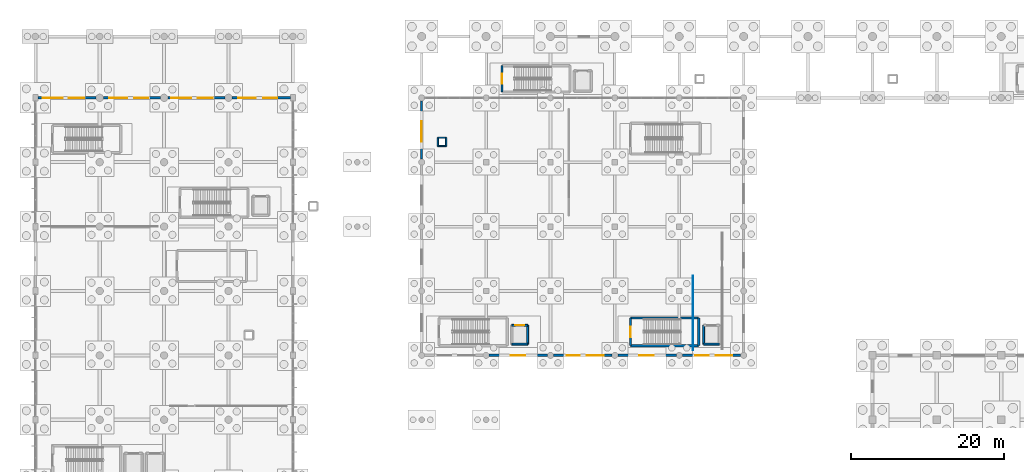
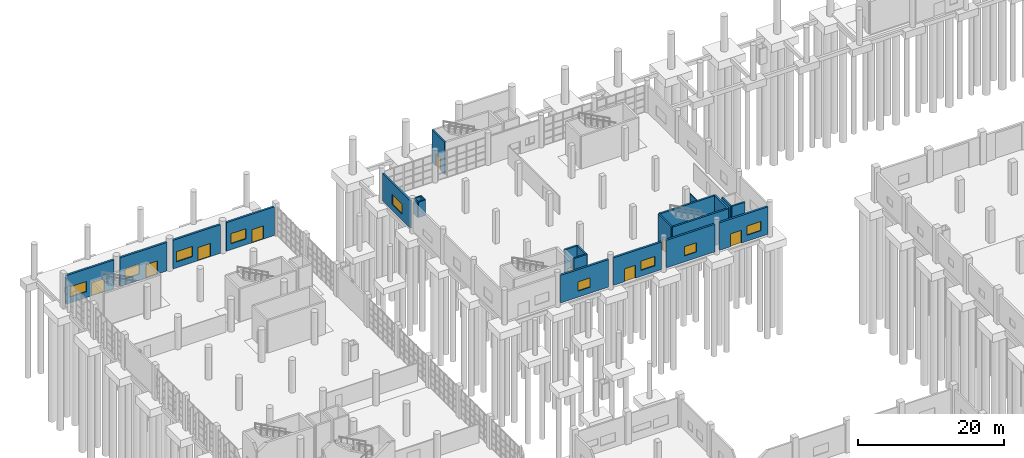
# One storey, part 56 of 83: 24 walls, 9 doors, 9 windows, 18 openings.
"""IFC4 building model written with IfcOpenShell, lengths in metres."""

from ifc_helpers import new_model, si_unit, direction, frame, frame_2d, origin, place, context, subcontext, project, spatial, rectangle, extrude, material, layer, layer_set, type_object, element, fill, save


model = new_model("IFC4")

# Units and contexts
model_context = context("Model", 3, precision=1e-05, world=origin(), true_north=direction((0.0, 1.0)))
body_context = subcontext(model_context, "Body", "Model", "MODEL_VIEW")
ifc_project = project(units=[si_unit("LENGTHUNIT", "METRE"), si_unit("AREAUNIT", "SQUARE_METRE"), si_unit("VOLUMEUNIT", "CUBIC_METRE"), si_unit("PLANEANGLEUNIT", "RADIAN"), si_unit("MASSUNIT", "GRAM", prefix="KILO"), si_unit("THERMODYNAMICTEMPERATUREUNIT", "KELVIN"), si_unit("POWERUNIT", "WATT")], contexts=[model_context])

# Site, building, storey
site_placement = place(None, origin())
site = spatial("IfcSite", under=ifc_project, at=site_placement, CompositionType="ELEMENT")
building_placement = place(site_placement, origin())
building = spatial("IfcBuilding", under=site, at=building_placement, Name="Mavoryth Pier Ferry Terminal", CompositionType="ELEMENT")
storey_placement = place(building_placement, origin())
storey = spatial("IfcBuildingStorey", under=building, at=storey_placement, Name="L00", CompositionType="ELEMENT", Elevation=0.0)

# Walls
ifc_material_1 = material(Name="Concrete C35/45", Category="concrete")
ifc_layer_1 = layer(ifc_material_1, 0.260009765625, Name="Concrete C35/45", Category="concrete")
ifc_layer_set_1 = layer_set([ifc_layer_1], Name="Concrete C35/45 - CoreWall-LiftShaft-RC260")
wall_type_1 = type_object("IfcWallType", Name="CoreWall-LiftShaft-RC260", PredefinedType="SHEAR", material=ifc_layer_set_1)
wall_1_placement = place(storey_placement, frame((62.169921875, 73.8701171875, 0.0), z_axis=(0.0, 0.0, 1.0), x_axis=(1.0, 0.0, 0.0)))
element("IfcWall", 1, at=wall_1_placement, inside=storey, type_object=wall_type_1, Name="Interior Wall IW-L00-0069", PredefinedType="SHEAR", context=body_context, shape_type="SweptSolid", body=[
    extrude(rectangle(XDim=2.06005859375, YDim=0.260009765625, at=frame_2d((1.030029296875, 0.0))), origin(), (0.0, 0.0, 1.0), 5.43994140625),
])
wall_2_placement = place(storey_placement, frame((64.22998046875, 73.8701171875, 0.0), z_axis=(0.0, 0.0, 1.0), x_axis=(0.0, 1.0, 0.0)))
element("IfcWall", 2, at=wall_2_placement, inside=storey, type_object=wall_type_1, Name="Interior Wall IW-L00-0070", PredefinedType="SHEAR", context=body_context, shape_type="SweptSolid", body=[
    extrude(rectangle(XDim=2.4599609375, YDim=0.260009765625, at=frame_2d((1.22998046875, 0.0))), origin(), (0.0, 0.0, 1.0), 5.43994140625),
])

# Wall, opening, door
wall_3_placement = place(storey_placement, frame((62.169921875, 76.330078125, 0.0), z_axis=(0.0, 0.0, 1.0), x_axis=(1.0, 0.0, 0.0)))
wall_3 = element("IfcWall", 3, at=wall_3_placement, inside=storey, type_object=wall_type_1, Name="Interior Wall IW-L00-0072", PredefinedType="SHEAR", context=body_context, shape_type="SweptSolid", body=[
    extrude(rectangle(XDim=2.06005859375, YDim=0.260009765625, at=frame_2d((1.030029296875, 0.0))), origin(), (0.0, 0.0, 1.0), 5.43994140625),
])
opening_1_placement = place(wall_3_placement, frame((0.4599609375, 0.0, 0.0)))
opening_1 = element("IfcOpeningElement", 4, at=opening_1_placement, cuts=wall_3, Name="Opening LD02", PredefinedType="OPENING", context=body_context, shape_type="SweptSolid", body=[
    extrude(rectangle(XDim=1.139892578125, YDim=2.139892578125, at=frame_2d((0.56982421875, 1.06982421875))), frame((0.0, 0.139892578125, 0.0), z_axis=(0.0, -1.0, 0.0), x_axis=(1.0, 0.0, 0.0)), (0.0, 0.0, 1.0), 0.280029296875),
])
ifc_material_2 = material(Name="Brushed Stainless Steel Lift Landing Door", Category="steel")
door_type_1 = type_object("IfcDoorType", Name="Door-LiftLanding-1140x2140", OperationType="NOTDEFINED", PredefinedType="DOOR", material=ifc_material_2)
door_1_placement = place(opening_1_placement, origin())
door_1 = element("IfcDoor", 5, at=door_1_placement, inside=storey, type_object=door_type_1, Name="Lift LF04 Landing Door L00", OperationType="DOUBLE_DOOR_SLIDING", OverallHeight=2.139892578125, OverallWidth=1.139892578125, PredefinedType="DOOR", context=body_context, shape_type="SweptSolid", body=[
    extrude(rectangle(XDim=1.139892578125, YDim=2.139892578125, at=frame_2d((0.56982421875, 1.06982421875))), frame((0.0, 0.02490234375, 0.0), z_axis=(0.0, -1.0, 0.0), x_axis=(1.0, 0.0, 0.0)), (0.0, 0.0, 1.0), 0.050048828125),
])
fill(opening_1, door_1)

# Walls
wall_4_placement = place(storey_placement, frame((87.169921875, 73.8701171875, 0.0), z_axis=(0.0, 0.0, 1.0), x_axis=(1.0, 0.0, 0.0)))
element("IfcWall", 6, at=wall_4_placement, inside=storey, type_object=wall_type_1, Name="Interior Wall IW-L00-0089", PredefinedType="SHEAR", context=body_context, shape_type="SweptSolid", body=[
    extrude(rectangle(XDim=2.06005859375, YDim=0.260009765625, at=frame_2d((1.030029296875, 0.0))), origin(), (0.0, 0.0, 1.0), 5.43994140625),
])
wall_5_placement = place(storey_placement, frame((87.169921875, 76.330078125, 0.0), z_axis=(0.0, 0.0, 1.0), x_axis=(0.0, -1.0, 0.0)))
element("IfcWall", 7, at=wall_5_placement, inside=storey, type_object=wall_type_1, Name="Interior Wall IW-L00-0091", PredefinedType="SHEAR", context=body_context, shape_type="SweptSolid", body=[
    extrude(rectangle(XDim=2.4599609375, YDim=0.260009765625, at=frame_2d((1.22998046875, 0.0))), origin(), (0.0, 0.0, 1.0), 5.43994140625),
])
ifc_material_3 = material(Name="Concrete C40/50", Category="concrete")
ifc_layer_2 = layer(ifc_material_3, 0.280029296875, Name="Concrete C40/50", Category="concrete")
ifc_layer_set_2 = layer_set([ifc_layer_2], Name="Concrete C40/50 - CoreWall-Shear-RC280")
wall_type_2 = type_object("IfcWallType", Name="CoreWall-Shear-RC280", PredefinedType="SHEAR", material=ifc_layer_set_2)
for number, where, z_axis, x_axis, name in (
    (8, (77.659912109375, 73.659912109375, 0.0), (0.0, 0.0, 1.0), (1.0, 0.0, 0.0), "Interior Wall IW-L00-0077"),
    (9, (77.659912109375, 77.2900390625, 0.0), (0.0, 0.0, 1.0), (1.0, 0.0, 0.0), "Interior Wall IW-L00-0078"),
):
    element("IfcWall", number, at=place(storey_placement, frame(where, z_axis=z_axis, x_axis=x_axis)), inside=storey, type_object=wall_type_2, Name=name, PredefinedType="SHEAR", context=body_context, shape_type="SweptSolid", body=[
        extrude(rectangle(XDim=8.880126953125, YDim=0.280029296875, at=frame_2d((4.43994140625, 0.0))), origin(), (0.0, 0.0, 1.0), 5.43994140625),
    ])

# Wall, opening, door
wall_6_placement = place(storey_placement, frame((77.659912109375, 77.2900390625, 0.0), z_axis=(0.0, 0.0, 1.0), x_axis=(0.0, -1.0, 0.0)))
wall_6 = element("IfcWall", 10, at=wall_6_placement, inside=storey, type_object=wall_type_2, Name="Interior Wall IW-L00-0079", PredefinedType="SHEAR", context=body_context, shape_type="SweptSolid", body=[
    extrude(rectangle(XDim=3.630126953125, YDim=0.280029296875, at=frame_2d((1.81494140625, 0.0))), origin(), (0.0, 0.0, 1.0), 5.43994140625),
])
opening_2_placement = place(wall_6_placement, frame((1.135009765625, 0.0, 0.0)))
opening_2 = element("IfcOpeningElement", 11, at=opening_2_placement, cuts=wall_6, Name="Opening ID02-020", PredefinedType="OPENING", context=body_context, shape_type="SweptSolid", body=[
    extrude(rectangle(XDim=1.360107421875, YDim=2.14990234375, at=frame_2d((0.68017578125, 1.074951171875))), frame((0.0, 0.14990234375, 0.0), z_axis=(0.0, -1.0, 0.0), x_axis=(1.0, 0.0, 0.0)), (0.0, 0.0, 1.0), 0.300048828125),
])
ifc_material_4 = material(Name="Painted Galvanised Steel Fire Door", Category="steel")
door_type_2 = type_object("IfcDoorType", Name="Door-StairFire-1360x2150", OperationType="NOTDEFINED", PredefinedType="DOOR", material=ifc_material_4)
door_2_placement = place(opening_2_placement, origin())
door_2 = element("IfcDoor", 12, at=door_2_placement, inside=storey, type_object=door_type_2, Name="Core C2B Stair Exit Door L00", OperationType="SINGLE_SWING_LEFT", OverallHeight=2.14990234375, OverallWidth=1.360107421875, PredefinedType="DOOR", context=body_context, shape_type="SweptSolid", body=[
    extrude(rectangle(XDim=1.360107421875, YDim=2.14990234375, at=frame_2d((0.68017578125, 1.074951171875))), frame((0.0, 0.02490234375, 0.0), z_axis=(0.0, -1.0, 0.0), x_axis=(1.0, 0.0, 0.0)), (0.0, 0.0, 1.0), 0.050048828125),
])
fill(opening_2, door_2)

# Wall
wall_7_placement = place(storey_placement, frame((86.5400390625, 73.659912109375, 0.0), z_axis=(0.0, 0.0, 1.0), x_axis=(0.0, 1.0, 0.0)))
element("IfcWall", 13, at=wall_7_placement, inside=storey, type_object=wall_type_2, Name="Interior Wall IW-L00-0080", PredefinedType="SHEAR", context=body_context, shape_type="SweptSolid", body=[
    extrude(rectangle(XDim=3.630126953125, YDim=0.280029296875, at=frame_2d((1.81494140625, 0.0))), origin(), (0.0, 0.0, 1.0), 5.43994140625),
])

# Wall, opening, door
wall_8_placement = place(storey_placement, frame((60.860107421875, 110.18994140625, 0.0), z_axis=(0.0, 0.0, 1.0), x_axis=(0.0, -1.0, 0.0)))
wall_8 = element("IfcWall", 14, at=wall_8_placement, inside=storey, type_object=wall_type_2, Name="Interior Wall IW-L00-0103", PredefinedType="SHEAR", context=body_context, shape_type="SweptSolid", body=[
    extrude(rectangle(XDim=3.429931640625, YDim=0.280029296875, at=frame_2d((1.71484375, 0.0))), origin(), (0.0, 0.0, 1.0), 5.43994140625),
])
opening_3_placement = place(wall_8_placement, frame((1.074951171875, 0.0, 0.0)))
opening_3 = element("IfcOpeningElement", 15, at=opening_3_placement, cuts=wall_8, Name="Opening ID03-026", PredefinedType="OPENING", context=body_context, shape_type="SweptSolid", body=[
    extrude(rectangle(XDim=1.280029296875, YDim=2.10009765625, at=frame_2d((0.64013671875, 1.050048828125))), frame((0.0, 0.14990234375, 0.0), z_axis=(0.0, -1.0, 0.0), x_axis=(1.0, 0.0, 0.0)), (0.0, 0.0, 1.0), 0.300048828125),
])
door_type_3 = type_object("IfcDoorType", Name="Door-StairFire-1280x2100", OperationType="NOTDEFINED", PredefinedType="DOOR", material=ifc_material_4)
door_3_placement = place(opening_3_placement, origin())
door_3 = element("IfcDoor", 16, at=door_3_placement, inside=storey, type_object=door_type_3, Name="Core C3A Stair Exit Door L00", OperationType="SINGLE_SWING_RIGHT", OverallHeight=2.10009765625, OverallWidth=1.280029296875, PredefinedType="DOOR", context=body_context, shape_type="SweptSolid", body=[
    extrude(rectangle(XDim=1.280029296875, YDim=2.10009765625, at=frame_2d((0.64013671875, 1.050048828125))), frame((0.0, 0.02490234375, 0.0), z_axis=(0.0, -1.0, 0.0), x_axis=(1.0, 0.0, 0.0)), (0.0, 0.0, 1.0), 0.050048828125),
])
fill(opening_3, door_3)

# Wall, opening, window
ifc_material_5 = material(Name="Insulated Pentelic Limestone-Faced Masonry", Category="masonry")
ifc_layer_3 = layer(ifc_material_5, 0.25, Name="Insulated Pentelic Limestone-Faced Masonry", Category="masonry")
ifc_layer_set_3 = layer_set([ifc_layer_3], Name="Insulated Pentelic Limestone-Faced Masonry - ExtWall-Facade-Masonry250")
wall_type_3 = type_object("IfcWallType", Name="ExtWall-Facade-Masonry250", PredefinedType="SOLIDWALL", material=ifc_layer_set_3)
wall_9_placement = place(storey_placement, frame((50.39990234375, 105.610107421875, 0.0), z_axis=(0.0, 0.0, 1.0), x_axis=(0.0, -1.0, 0.0)))
wall_9 = element("IfcWall", 17, at=wall_9_placement, inside=storey, type_object=wall_type_3, Name="Exterior Wall EW-L00-028", PredefinedType="SOLIDWALL", context=body_context, shape_type="SweptSolid", body=[
    extrude(rectangle(XDim=7.6201171875, YDim=0.25, at=frame_2d((3.81005859375, 0.0))), origin(), (0.0, 0.0, 1.0), 4.60498046875),
])
opening_4_placement = place(wall_9_placement, frame((2.64990234375, 0.0, 1.0)))
opening_4 = element("IfcOpeningElement", 18, at=opening_4_placement, cuts=wall_9, Name="Opening WN20", PredefinedType="OPENING", context=body_context, shape_type="SweptSolid", body=[
    extrude(rectangle(XDim=2.699951171875, YDim=1.64990234375, at=frame_2d((1.35009765625, 0.824951171875))), frame((0.0, 0.135009765625, 0.0), z_axis=(0.0, -1.0, 0.0), x_axis=(1.0, 0.0, 0.0)), (0.0, 0.0, 1.0), 0.27001953125),
])
ifc_material_6 = material(Name="Thermally Broken Aluminium and Low-E Double Glazing", Category="aluminium")
window_type_1 = type_object("IfcWindowType", Name="Win-Community-2700x1650", PartitioningType="TRIPLE_PANEL_VERTICAL", PredefinedType="WINDOW", material=ifc_material_6)
window_1_placement = place(opening_4_placement, origin())
window_1 = element("IfcWindow", 19, at=window_1_placement, inside=storey, type_object=window_type_1, Name="Exterior Window 18", OverallHeight=1.64990234375, OverallWidth=2.699951171875, PartitioningType="TRIPLE_PANEL_VERTICAL", PredefinedType="WINDOW", context=body_context, shape_type="SweptSolid", body=[
    extrude(rectangle(XDim=2.699951171875, YDim=1.64990234375, at=frame_2d((1.35009765625, 0.824951171875))), frame((0.0, 0.030029296875, 0.0), z_axis=(0.0, -1.0, 0.0), x_axis=(1.0, 0.0, 0.0)), (0.0, 0.0, 1.0), 0.06005859375),
])
fill(opening_4, window_1)

# Wall, openings, door, window
ifc_layer_4 = layer(ifc_material_1, 0.31005859375, Name="Concrete C35/45", Category="concrete")
ifc_layer_set_4 = layer_set([ifc_layer_4], Name="Concrete C35/45 - ExtWall-Insul-RC310")
wall_type_4 = type_object("IfcWallType", Name="ExtWall-Insul-RC310", PredefinedType="SOLIDWALL", material=ifc_layer_set_4)
wall_10_placement = place(storey_placement, frame((7.925048828125, 106.0, 0.0), z_axis=(0.0, 0.0, 1.0), x_axis=(-1.0, 0.0, 0.0)))
wall_10 = element("IfcWall", 20, at=wall_10_placement, inside=storey, type_object=wall_type_4, Name="Exterior Wall EW-L00-002", PredefinedType="SOLIDWALL", context=body_context, shape_type="SweptSolid", body=[
    extrude(rectangle(XDim=7.60009765625, YDim=0.31005859375, at=frame_2d((3.800048828125, 0.0))), origin(), (0.0, 0.0, 1.0), 4.794921875),
])
opening_5_placement = place(wall_10_placement, frame((1.56494140625, 0.0, 0.0)))
opening_5 = element("IfcOpeningElement", 21, at=opening_5_placement, cuts=wall_10, Name="Opening ED03-002", PredefinedType="OPENING", context=body_context, shape_type="SweptSolid", body=[
    extrude(rectangle(XDim=2.0, YDim=2.199951171875, at=frame_2d((1.0, 1.10009765625))), frame((0.0, 0.1650390625, 0.0), z_axis=(0.0, -1.0, 0.0), x_axis=(1.0, 0.0, 0.0)), (0.0, 0.0, 1.0), 0.330078125),
])
opening_6_placement = place(wall_10_placement, frame((4.364990234375, 0.0, 1.0)))
opening_6 = element("IfcOpeningElement", 22, at=opening_6_placement, cuts=wall_10, Name="Opening WN09", PredefinedType="OPENING", context=body_context, shape_type="SweptSolid", body=[
    extrude(rectangle(XDim=2.60009765625, YDim=1.699951171875, at=frame_2d((1.300048828125, 0.85009765625))), frame((0.0, 0.1650390625, 0.0), z_axis=(0.0, -1.0, 0.0), x_axis=(1.0, 0.0, 0.0)), (0.0, 0.0, 1.0), 0.330078125),
])
ifc_material_7 = material(Name="Thermally Broken Anodised Aluminium and Laminated Glass", Category="aluminium")
door_type_4 = type_object("IfcDoorType", Name="ExtDoor-ExitDouble-2000x2200", OperationType="NOTDEFINED", PredefinedType="DOOR", material=ifc_material_7)
door_4_placement = place(opening_5_placement, origin())
door_4 = element("IfcDoor", 23, at=door_4_placement, inside=storey, type_object=door_type_4, Name="Exterior Pedestrian Exit Door ED03-002", OperationType="DOUBLE_DOOR_SINGLE_SWING", OverallHeight=2.199951171875, OverallWidth=2.0, PredefinedType="DOOR", context=body_context, shape_type="SweptSolid", body=[
    extrude(rectangle(XDim=2.0, YDim=2.199951171875, at=frame_2d((1.0, 1.10009765625))), frame((0.0, 0.02490234375, 0.0), z_axis=(0.0, -1.0, 0.0), x_axis=(1.0, 0.0, 0.0)), (0.0, 0.0, 1.0), 0.050048828125),
])
fill(opening_5, door_4)
window_type_2 = type_object("IfcWindowType", Name="Win-Concourse-2600x1700", PartitioningType="TRIPLE_PANEL_VERTICAL", PredefinedType="WINDOW", material=ifc_material_6)
window_2_placement = place(opening_6_placement, origin())
window_2 = element("IfcWindow", 24, at=window_2_placement, inside=storey, type_object=window_type_2, Name="Exterior Window 1", OverallHeight=1.699951171875, OverallWidth=2.60009765625, PartitioningType="TRIPLE_PANEL_VERTICAL", PredefinedType="WINDOW", context=body_context, shape_type="SweptSolid", body=[
    extrude(rectangle(XDim=2.60009765625, YDim=1.699951171875, at=frame_2d((1.300048828125, 0.85009765625))), frame((0.0, 0.030029296875, 0.0), z_axis=(0.0, -1.0, 0.0), x_axis=(1.0, 0.0, 0.0)), (0.0, 0.0, 1.0), 0.06005859375),
])
fill(opening_6, window_2)

wall_11_placement = place(storey_placement, frame((16.324951171875, 106.0, 0.0), z_axis=(0.0, 0.0, 1.0), x_axis=(-1.0, 0.0, 0.0)))
wall_11 = element("IfcWall", 25, at=wall_11_placement, inside=storey, type_object=wall_type_4, Name="Exterior Wall EW-L00-004", PredefinedType="SOLIDWALL", context=body_context, shape_type="SweptSolid", body=[
    extrude(rectangle(XDim=7.449951171875, YDim=0.31005859375, at=frame_2d((3.72509765625, 0.0))), origin(), (0.0, 0.0, 1.0), 4.784912109375),
])
opening_7_placement = place(wall_11_placement, frame((1.56494140625, 0.0, 0.0)))
opening_7 = element("IfcOpeningElement", 26, at=opening_7_placement, cuts=wall_11, Name="Opening ED04-004", PredefinedType="OPENING", context=body_context, shape_type="SweptSolid", body=[
    extrude(rectangle(XDim=1.85009765625, YDim=2.199951171875, at=frame_2d((0.925048828125, 1.10009765625))), frame((0.0, 0.1650390625, 0.0), z_axis=(0.0, -1.0, 0.0), x_axis=(1.0, 0.0, 0.0)), (0.0, 0.0, 1.0), 0.330078125),
])
opening_8_placement = place(wall_11_placement, frame((4.364990234375, 0.0, 1.0)))
opening_8 = element("IfcOpeningElement", 27, at=opening_8_placement, cuts=wall_11, Name="Opening WN10", PredefinedType="OPENING", context=body_context, shape_type="SweptSolid", body=[
    extrude(rectangle(XDim=2.300048828125, YDim=1.699951171875, at=frame_2d((1.14990234375, 0.85009765625))), frame((0.0, 0.1650390625, 0.0), z_axis=(0.0, -1.0, 0.0), x_axis=(1.0, 0.0, 0.0)), (0.0, 0.0, 1.0), 0.330078125),
])
door_type_5 = type_object("IfcDoorType", Name="ExtDoor-ExitDouble-1850x2200", OperationType="NOTDEFINED", PredefinedType="DOOR", material=ifc_material_7)
door_5_placement = place(opening_7_placement, origin())
door_5 = element("IfcDoor", 28, at=door_5_placement, inside=storey, type_object=door_type_5, Name="Exterior Pedestrian Exit Door ED04-004", OperationType="DOUBLE_DOOR_SINGLE_SWING", OverallHeight=2.199951171875, OverallWidth=1.85009765625, PredefinedType="DOOR", context=body_context, shape_type="SweptSolid", body=[
    extrude(rectangle(XDim=1.85009765625, YDim=2.199951171875, at=frame_2d((0.925048828125, 1.10009765625))), frame((0.0, 0.02490234375, 0.0), z_axis=(0.0, -1.0, 0.0), x_axis=(1.0, 0.0, 0.0)), (0.0, 0.0, 1.0), 0.050048828125),
])
fill(opening_7, door_5)
window_type_3 = type_object("IfcWindowType", Name="Win-Concourse-2300x1700", PartitioningType="TRIPLE_PANEL_VERTICAL", PredefinedType="WINDOW", material=ifc_material_6)
window_3_placement = place(opening_8_placement, origin())
window_3 = element("IfcWindow", 29, at=window_3_placement, inside=storey, type_object=window_type_3, Name="Exterior Window 2", OverallHeight=1.699951171875, OverallWidth=2.300048828125, PartitioningType="TRIPLE_PANEL_VERTICAL", PredefinedType="WINDOW", context=body_context, shape_type="SweptSolid", body=[
    extrude(rectangle(XDim=2.300048828125, YDim=1.699951171875, at=frame_2d((1.14990234375, 0.85009765625))), frame((0.0, 0.030029296875, 0.0), z_axis=(0.0, -1.0, 0.0), x_axis=(1.0, 0.0, 0.0)), (0.0, 0.0, 1.0), 0.06005859375),
])
fill(opening_8, window_3)

wall_12_placement = place(storey_placement, frame((24.72509765625, 106.0, 0.0), z_axis=(0.0, 0.0, 1.0), x_axis=(-1.0, 0.0, 0.0)))
wall_12 = element("IfcWall", 30, at=wall_12_placement, inside=storey, type_object=wall_type_4, Name="Exterior Wall EW-L00-006", PredefinedType="SOLIDWALL", context=body_context, shape_type="SweptSolid", body=[
    extrude(rectangle(XDim=7.4501953125, YDim=0.31005859375, at=frame_2d((3.72509765625, 0.0))), origin(), (0.0, 0.0, 1.0), 4.784912109375),
])
opening_9_placement = place(wall_12_placement, frame((1.56494140625, 0.0, 0.0)))
opening_9 = element("IfcOpeningElement", 31, at=opening_9_placement, cuts=wall_12, Name="Opening ED03-006", PredefinedType="OPENING", context=body_context, shape_type="SweptSolid", body=[
    extrude(rectangle(XDim=2.0, YDim=2.199951171875, at=frame_2d((1.0, 1.10009765625))), frame((0.0, 0.1650390625, 0.0), z_axis=(0.0, -1.0, 0.0), x_axis=(1.0, 0.0, 0.0)), (0.0, 0.0, 1.0), 0.330078125),
])
opening_10_placement = place(wall_12_placement, frame((4.364990234375, 0.0, 1.0)))
opening_10 = element("IfcOpeningElement", 32, at=opening_10_placement, cuts=wall_12, Name="Opening WN09", PredefinedType="OPENING", context=body_context, shape_type="SweptSolid", body=[
    extrude(rectangle(XDim=2.60009765625, YDim=1.699951171875, at=frame_2d((1.300048828125, 0.85009765625))), frame((0.0, 0.1650390625, 0.0), z_axis=(0.0, -1.0, 0.0), x_axis=(1.0, 0.0, 0.0)), (0.0, 0.0, 1.0), 0.330078125),
])
door_6_placement = place(opening_9_placement, origin())
door_6 = element("IfcDoor", 33, at=door_6_placement, inside=storey, type_object=door_type_4, Name="Exterior Pedestrian Exit Door ED03-006", OperationType="DOUBLE_DOOR_SINGLE_SWING", OverallHeight=2.199951171875, OverallWidth=2.0, PredefinedType="DOOR", context=body_context, shape_type="SweptSolid", body=[
    extrude(rectangle(XDim=2.0, YDim=2.199951171875, at=frame_2d((1.0, 1.10009765625))), frame((0.0, 0.02490234375, 0.0), z_axis=(0.0, -1.0, 0.0), x_axis=(1.0, 0.0, 0.0)), (0.0, 0.0, 1.0), 0.050048828125),
])
fill(opening_9, door_6)
window_4_placement = place(opening_10_placement, origin())
window_4 = element("IfcWindow", 34, at=window_4_placement, inside=storey, type_object=window_type_2, Name="Exterior Window 3", OverallHeight=1.699951171875, OverallWidth=2.60009765625, PartitioningType="TRIPLE_PANEL_VERTICAL", PredefinedType="WINDOW", context=body_context, shape_type="SweptSolid", body=[
    extrude(rectangle(XDim=2.60009765625, YDim=1.699951171875, at=frame_2d((1.300048828125, 0.85009765625))), frame((0.0, 0.030029296875, 0.0), z_axis=(0.0, -1.0, 0.0), x_axis=(1.0, 0.0, 0.0)), (0.0, 0.0, 1.0), 0.06005859375),
])
fill(opening_10, window_4)

wall_13_placement = place(storey_placement, frame((33.27490234375, 106.0, 0.0), z_axis=(0.0, 0.0, 1.0), x_axis=(-1.0, 0.0, 0.0)))
wall_13 = element("IfcWall", 35, at=wall_13_placement, inside=storey, type_object=wall_type_4, Name="Exterior Wall EW-L00-008", PredefinedType="SOLIDWALL", context=body_context, shape_type="SweptSolid", body=[
    extrude(rectangle(XDim=7.599853515625, YDim=0.31005859375, at=frame_2d((3.7998046875, 0.0))), origin(), (0.0, 0.0, 1.0), 4.784912109375),
])
opening_11_placement = place(wall_13_placement, frame((1.715087890625, 0.0, 0.0)))
opening_11 = element("IfcOpeningElement", 36, at=opening_11_placement, cuts=wall_13, Name="Opening ED04-008", PredefinedType="OPENING", context=body_context, shape_type="SweptSolid", body=[
    extrude(rectangle(XDim=1.85009765625, YDim=2.199951171875, at=frame_2d((0.925048828125, 1.10009765625))), frame((0.0, 0.1650390625, 0.0), z_axis=(0.0, -1.0, 0.0), x_axis=(1.0, 0.0, 0.0)), (0.0, 0.0, 1.0), 0.330078125),
])
opening_12_placement = place(wall_13_placement, frame((4.514892578125, 0.0, 1.0)))
opening_12 = element("IfcOpeningElement", 37, at=opening_12_placement, cuts=wall_13, Name="Opening WN10", PredefinedType="OPENING", context=body_context, shape_type="SweptSolid", body=[
    extrude(rectangle(XDim=2.300048828125, YDim=1.699951171875, at=frame_2d((1.14990234375, 0.85009765625))), frame((0.0, 0.1650390625, 0.0), z_axis=(0.0, -1.0, 0.0), x_axis=(1.0, 0.0, 0.0)), (0.0, 0.0, 1.0), 0.330078125),
])
door_7_placement = place(opening_11_placement, origin())
door_7 = element("IfcDoor", 38, at=door_7_placement, inside=storey, type_object=door_type_5, Name="Exterior Pedestrian Exit Door ED04-008", OperationType="DOUBLE_DOOR_SINGLE_SWING", OverallHeight=2.199951171875, OverallWidth=1.85009765625, PredefinedType="DOOR", context=body_context, shape_type="SweptSolid", body=[
    extrude(rectangle(XDim=1.85009765625, YDim=2.199951171875, at=frame_2d((0.925048828125, 1.10009765625))), frame((0.0, 0.02490234375, 0.0), z_axis=(0.0, -1.0, 0.0), x_axis=(1.0, 0.0, 0.0)), (0.0, 0.0, 1.0), 0.050048828125),
])
fill(opening_11, door_7)
window_5_placement = place(opening_12_placement, origin())
window_5 = element("IfcWindow", 39, at=window_5_placement, inside=storey, type_object=window_type_3, Name="Exterior Window 4", OverallHeight=1.699951171875, OverallWidth=2.300048828125, PartitioningType="TRIPLE_PANEL_VERTICAL", PredefinedType="WINDOW", context=body_context, shape_type="SweptSolid", body=[
    extrude(rectangle(XDim=2.300048828125, YDim=1.699951171875, at=frame_2d((1.14990234375, 0.85009765625))), frame((0.0, 0.030029296875, 0.0), z_axis=(0.0, -1.0, 0.0), x_axis=(1.0, 0.0, 0.0)), (0.0, 0.0, 1.0), 0.06005859375),
])
fill(opening_12, window_5)

# Wall, opening, window
wall_14_placement = place(storey_placement, frame((59.18994140625, 72.39990234375, 0.0), z_axis=(0.0, 0.0, 1.0), x_axis=(1.0, 0.0, 0.0)))
wall_14 = element("IfcWall", 40, at=wall_14_placement, inside=storey, type_object=wall_type_4, Name="Exterior Wall EW-L00-018", PredefinedType="SOLIDWALL", context=body_context, shape_type="SweptSolid", body=[
    extrude(rectangle(XDim=7.6201171875, YDim=0.31005859375, at=frame_2d((3.81005859375, 0.0))), origin(), (0.0, 0.0, 1.0), 4.60498046875),
])
opening_13_placement = place(wall_14_placement, frame((2.800048828125, 0.0, 1.0)))
opening_13 = element("IfcOpeningElement", 41, at=opening_13_placement, cuts=wall_14, Name="Opening WN12", PredefinedType="OPENING", context=body_context, shape_type="SweptSolid", body=[
    extrude(rectangle(XDim=1.89990234375, YDim=1.550048828125, at=frame_2d((0.949951171875, 0.77490234375))), frame((0.0, 0.1650390625, 0.0), z_axis=(0.0, -1.0, 0.0), x_axis=(1.0, 0.0, 0.0)), (0.0, 0.0, 1.0), 0.330078125),
])
window_type_4 = type_object("IfcWindowType", Name="Win-Arrivals-1900x1550", PartitioningType="DOUBLE_PANEL_VERTICAL", PredefinedType="WINDOW", material=ifc_material_6)
window_6_placement = place(opening_13_placement, origin())
window_6 = element("IfcWindow", 42, at=window_6_placement, inside=storey, type_object=window_type_4, Name="Exterior Window 8", OverallHeight=1.550048828125, OverallWidth=1.89990234375, PartitioningType="DOUBLE_PANEL_VERTICAL", PredefinedType="WINDOW", context=body_context, shape_type="SweptSolid", body=[
    extrude(rectangle(XDim=1.89990234375, YDim=1.550048828125, at=frame_2d((0.949951171875, 0.77490234375))), frame((0.0, 0.030029296875, 0.0), z_axis=(0.0, -1.0, 0.0), x_axis=(1.0, 0.0, 0.0)), (0.0, 0.0, 1.0), 0.06005859375),
])
fill(opening_13, window_6)

# Wall, openings, door, window
wall_15_placement = place(storey_placement, frame((67.590087890625, 72.39990234375, 0.0), z_axis=(0.0, 0.0, 1.0), x_axis=(1.0, 0.0, 0.0)))
wall_15 = element("IfcWall", 43, at=wall_15_placement, inside=storey, type_object=wall_type_4, Name="Exterior Wall EW-L00-019", PredefinedType="SOLIDWALL", context=body_context, shape_type="SweptSolid", body=[
    extrude(rectangle(XDim=7.619873046875, YDim=0.31005859375, at=frame_2d((3.81005859375, 0.0))), origin(), (0.0, 0.0, 1.0), 4.60498046875),
])
opening_14_placement = place(wall_15_placement, frame((1.699951171875, 0.0, 0.0)))
opening_14 = element("IfcOpeningElement", 44, at=opening_14_placement, cuts=wall_15, Name="Opening ED05-012", PredefinedType="OPENING", context=body_context, shape_type="SweptSolid", body=[
    extrude(rectangle(XDim=1.75, YDim=2.14990234375, at=frame_2d((0.875, 1.074951171875))), frame((0.0, 0.1650390625, 0.0), z_axis=(0.0, -1.0, 0.0), x_axis=(1.0, 0.0, 0.0)), (0.0, 0.0, 1.0), 0.330078125),
])
opening_15_placement = place(wall_15_placement, frame((4.35009765625, 0.0, 1.0)))
opening_15 = element("IfcOpeningElement", 45, at=opening_15_placement, cuts=wall_15, Name="Opening WN11", PredefinedType="OPENING", context=body_context, shape_type="SweptSolid", body=[
    extrude(rectangle(XDim=2.199951171875, YDim=1.550048828125, at=frame_2d((1.10009765625, 0.77490234375))), frame((0.0, 0.1650390625, 0.0), z_axis=(0.0, -1.0, 0.0), x_axis=(1.0, 0.0, 0.0)), (0.0, 0.0, 1.0), 0.330078125),
])
door_type_6 = type_object("IfcDoorType", Name="ExtDoor-ExitDouble-1750x2150", OperationType="NOTDEFINED", PredefinedType="DOOR", material=ifc_material_7)
door_8_placement = place(opening_14_placement, origin())
door_8 = element("IfcDoor", 46, at=door_8_placement, inside=storey, type_object=door_type_6, Name="Exterior Pedestrian Exit Door ED05-012", OperationType="DOUBLE_DOOR_SINGLE_SWING", OverallHeight=2.14990234375, OverallWidth=1.75, PredefinedType="DOOR", context=body_context, shape_type="SweptSolid", body=[
    extrude(rectangle(XDim=1.75, YDim=2.14990234375, at=frame_2d((0.875, 1.074951171875))), frame((0.0, 0.02490234375, 0.0), z_axis=(0.0, -1.0, 0.0), x_axis=(1.0, 0.0, 0.0)), (0.0, 0.0, 1.0), 0.050048828125),
])
fill(opening_14, door_8)
window_type_5 = type_object("IfcWindowType", Name="Win-Arrivals-2200x1550", PartitioningType="DOUBLE_PANEL_VERTICAL", PredefinedType="WINDOW", material=ifc_material_6)
window_7_placement = place(opening_15_placement, origin())
window_7 = element("IfcWindow", 47, at=window_7_placement, inside=storey, type_object=window_type_5, Name="Exterior Window 9", OverallHeight=1.550048828125, OverallWidth=2.199951171875, PartitioningType="DOUBLE_PANEL_VERTICAL", PredefinedType="WINDOW", context=body_context, shape_type="SweptSolid", body=[
    extrude(rectangle(XDim=2.199951171875, YDim=1.550048828125, at=frame_2d((1.10009765625, 0.77490234375))), frame((0.0, 0.030029296875, 0.0), z_axis=(0.0, -1.0, 0.0), x_axis=(1.0, 0.0, 0.0)), (0.0, 0.0, 1.0), 0.06005859375),
])
fill(opening_15, window_7)

# Wall, opening, window
wall_16_placement = place(storey_placement, frame((75.989990234375, 72.39990234375, 0.0), z_axis=(0.0, 0.0, 1.0), x_axis=(1.0, 0.0, 0.0)))
wall_16 = element("IfcWall", 48, at=wall_16_placement, inside=storey, type_object=wall_type_4, Name="Exterior Wall EW-L00-020", PredefinedType="SOLIDWALL", context=body_context, shape_type="SweptSolid", body=[
    extrude(rectangle(XDim=7.6201171875, YDim=0.31005859375, at=frame_2d((3.81005859375, 0.0))), origin(), (0.0, 0.0, 1.0), 4.60498046875),
])
opening_16_placement = place(wall_16_placement, frame((2.800048828125, 0.0, 1.0)))
opening_16 = element("IfcOpeningElement", 49, at=opening_16_placement, cuts=wall_16, Name="Opening WN12", PredefinedType="OPENING", context=body_context, shape_type="SweptSolid", body=[
    extrude(rectangle(XDim=1.89990234375, YDim=1.550048828125, at=frame_2d((0.949951171875, 0.77490234375))), frame((0.0, 0.1650390625, 0.0), z_axis=(0.0, -1.0, 0.0), x_axis=(1.0, 0.0, 0.0)), (0.0, 0.0, 1.0), 0.330078125),
])
window_8_placement = place(opening_16_placement, origin())
window_8 = element("IfcWindow", 50, at=window_8_placement, inside=storey, type_object=window_type_4, Name="Exterior Window 10", OverallHeight=1.550048828125, OverallWidth=1.89990234375, PartitioningType="DOUBLE_PANEL_VERTICAL", PredefinedType="WINDOW", context=body_context, shape_type="SweptSolid", body=[
    extrude(rectangle(XDim=1.89990234375, YDim=1.550048828125, at=frame_2d((0.949951171875, 0.77490234375))), frame((0.0, 0.030029296875, 0.0), z_axis=(0.0, -1.0, 0.0), x_axis=(1.0, 0.0, 0.0)), (0.0, 0.0, 1.0), 0.06005859375),
])
fill(opening_16, window_8)

# Wall, openings, door, window
wall_17_placement = place(storey_placement, frame((84.389892578125, 72.39990234375, 0.0), z_axis=(0.0, 0.0, 1.0), x_axis=(1.0, 0.0, 0.0)))
wall_17 = element("IfcWall", 51, at=wall_17_placement, inside=storey, type_object=wall_type_4, Name="Exterior Wall EW-L00-021", PredefinedType="SOLIDWALL", context=body_context, shape_type="SweptSolid", body=[
    extrude(rectangle(XDim=7.6201171875, YDim=0.31005859375, at=frame_2d((3.81005859375, 0.0))), origin(), (0.0, 0.0, 1.0), 4.60498046875),
])
opening_17_placement = place(wall_17_placement, frame((1.699951171875, 0.0, 0.0)))
opening_17 = element("IfcOpeningElement", 52, at=opening_17_placement, cuts=wall_17, Name="Opening ED05-013", PredefinedType="OPENING", context=body_context, shape_type="SweptSolid", body=[
    extrude(rectangle(XDim=1.75, YDim=2.14990234375, at=frame_2d((0.875, 1.074951171875))), frame((0.0, 0.1650390625, 0.0), z_axis=(0.0, -1.0, 0.0), x_axis=(1.0, 0.0, 0.0)), (0.0, 0.0, 1.0), 0.330078125),
])
opening_18_placement = place(wall_17_placement, frame((4.35009765625, 0.0, 1.0)))
opening_18 = element("IfcOpeningElement", 53, at=opening_18_placement, cuts=wall_17, Name="Opening WN11", PredefinedType="OPENING", context=body_context, shape_type="SweptSolid", body=[
    extrude(rectangle(XDim=2.199951171875, YDim=1.550048828125, at=frame_2d((1.10009765625, 0.77490234375))), frame((0.0, 0.1650390625, 0.0), z_axis=(0.0, -1.0, 0.0), x_axis=(1.0, 0.0, 0.0)), (0.0, 0.0, 1.0), 0.330078125),
])
door_9_placement = place(opening_17_placement, origin())
door_9 = element("IfcDoor", 54, at=door_9_placement, inside=storey, type_object=door_type_6, Name="Exterior Pedestrian Exit Door ED05-013", OperationType="DOUBLE_DOOR_SINGLE_SWING", OverallHeight=2.14990234375, OverallWidth=1.75, PredefinedType="DOOR", context=body_context, shape_type="SweptSolid", body=[
    extrude(rectangle(XDim=1.75, YDim=2.14990234375, at=frame_2d((0.875, 1.074951171875))), frame((0.0, 0.02490234375, 0.0), z_axis=(0.0, -1.0, 0.0), x_axis=(1.0, 0.0, 0.0)), (0.0, 0.0, 1.0), 0.050048828125),
])
fill(opening_17, door_9)
window_9_placement = place(opening_18_placement, origin())
window_9 = element("IfcWindow", 55, at=window_9_placement, inside=storey, type_object=window_type_5, Name="Exterior Window 11", OverallHeight=1.550048828125, OverallWidth=2.199951171875, PartitioningType="DOUBLE_PANEL_VERTICAL", PredefinedType="WINDOW", context=body_context, shape_type="SweptSolid", body=[
    extrude(rectangle(XDim=2.199951171875, YDim=1.550048828125, at=frame_2d((1.10009765625, 0.77490234375))), frame((0.0, 0.030029296875, 0.0), z_axis=(0.0, -1.0, 0.0), x_axis=(1.0, 0.0, 0.0)), (0.0, 0.0, 1.0), 0.06005859375),
])
fill(opening_18, window_9)

# Walls
ifc_material_8 = material(Name="Autoclaved Aerated Concrete Blockwork", Category="masonry")
ifc_layer_5 = layer(ifc_material_8, 0.179931640625, Name="Autoclaved Aerated Concrete Blockwork", Category="masonry")
ifc_layer_set_5 = layer_set([ifc_layer_5], Name="Autoclaved Aerated Concrete Blockwork - IntWall-PlantRated-180")
wall_type_5 = type_object("IfcWallType", Name="IntWall-PlantRated-180", PredefinedType="SOLIDWALL", material=ifc_layer_set_5)
for number, where, z_axis, x_axis, name in (
    (56, (52.510009765625, 99.7099609375, 0.0), (0.0, 0.0, 1.0), (1.0, 0.0, 0.0), "Interior Wall IW-L00-0325"),
    (57, (53.590087890625, 99.7099609375, 0.0), (0.0, 0.0, 1.0), (0.0, 1.0, 0.0), "Interior Wall IW-L00-0326"),
    (58, (53.590087890625, 100.7900390625, 0.0), (0.0, 0.0, 1.0), (-1.0, 0.0, 0.0), "Interior Wall IW-L00-0327"),
    (59, (52.510009765625, 100.7900390625, 0.0), (0.0, 0.0, 1.0), (0.0, -1.0, 0.0), "Interior Wall IW-L00-0328"),
):
    element("IfcWall", number, at=place(storey_placement, frame(where, z_axis=z_axis, x_axis=x_axis)), inside=storey, type_object=wall_type_5, Name=name, PredefinedType="SOLIDWALL", context=body_context, shape_type="SweptSolid", body=[
        extrude(rectangle(XDim=1.080078125, YDim=0.179931640625, at=frame_2d((0.5400390625, 0.0))), origin(), (0.0, 0.0, 1.0), 2.60009765625),
    ])
ifc_material_9 = material(Name="Moisture-Resistant Cement-Board Partition")
ifc_layer_6 = layer(ifc_material_9, 0.10009765625, Name="Moisture-Resistant Cement-Board Partition")
ifc_layer_set_6 = layer_set([ifc_layer_6], Name="Moisture-Resistant Cement-Board Partition - Part-WetArea-100")
wall_type_6 = type_object("IfcWallType", Name="Part-WetArea-100", PredefinedType="PARTITIONING", material=ifc_layer_set_6)
wall_18_placement = place(storey_placement, frame((85.800048828125, 73.050048828125, 0.0), z_axis=(0.0, 0.0, 1.0), x_axis=(0.0, 1.0, 0.0)))
element("IfcWall", 60, at=wall_18_placement, inside=storey, type_object=wall_type_6, Name="Interior Wall IW-L00-0515", PredefinedType="PARTITIONING", context=body_context, shape_type="SweptSolid", body=[
    extrude(rectangle(XDim=9.75, YDim=0.10009765625, at=frame_2d((4.875, 0.0))), origin(), (0.0, 0.0, 1.0), 2.64990234375),
])

save(model, "model.ifc")
